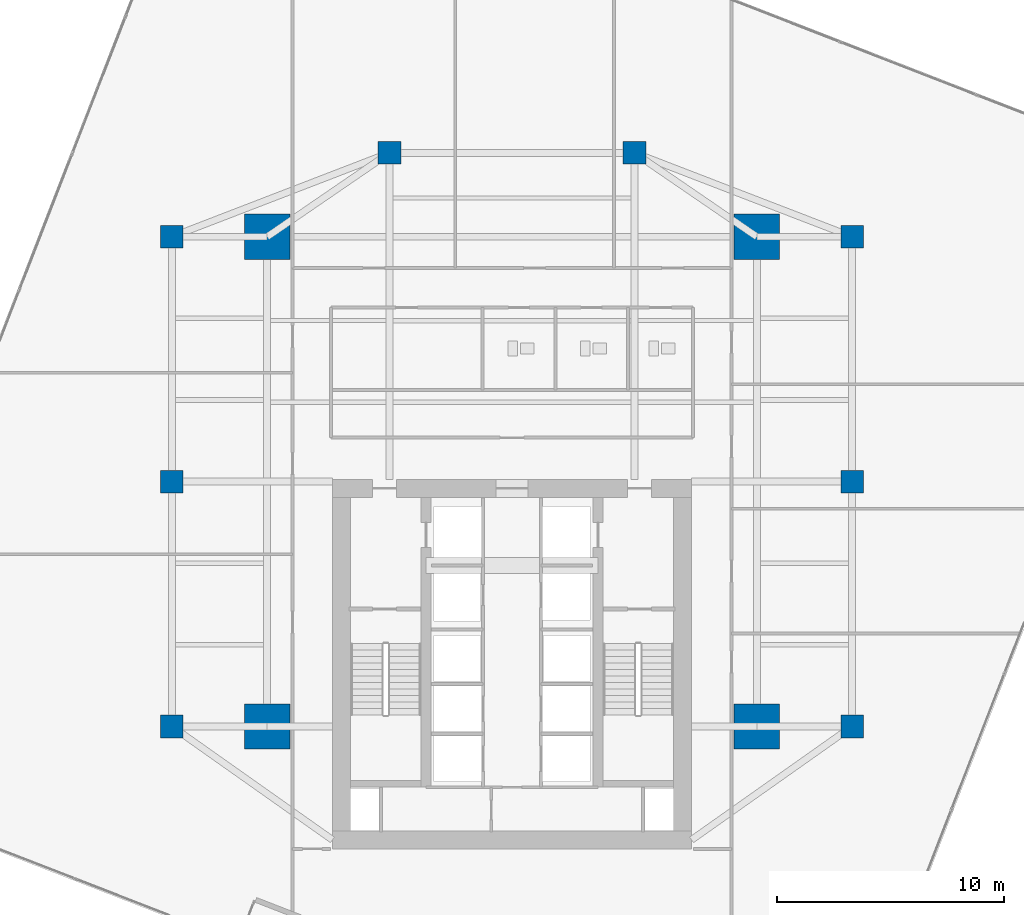
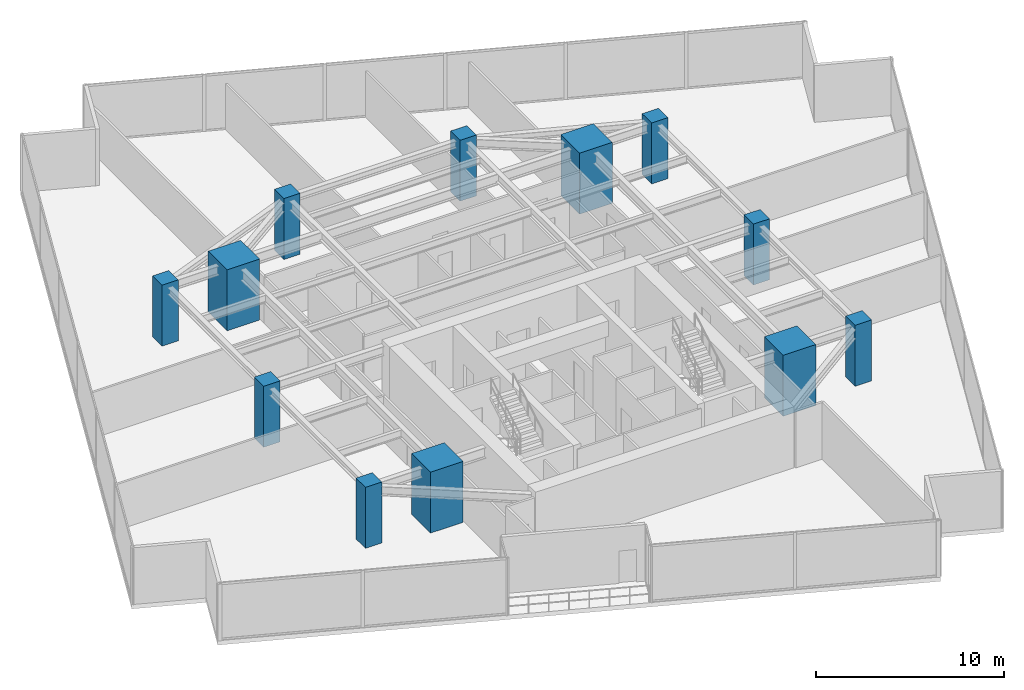
# One storey, part 1 of 26: 12 columns.
"""IFC4 building model written with IfcOpenShell, lengths in metres."""

from ifc_helpers import new_model, si_unit, direction, frame, origin, origin_2d, place, context, subcontext, project, spatial, rectangle, extrude, source, transform, mapped, material, material_profile, profile_set, type_object, type_shapes, element, save


model = new_model("IFC4")

# Units and contexts
model_context = context("Model", 3, precision=1e-05, world=origin(), true_north=direction((0.0, 1.0)))
body_context = subcontext(model_context, "Body", "Model", "MODEL_VIEW")
ifc_project = project(units=[si_unit("LENGTHUNIT", "METRE"), si_unit("AREAUNIT", "SQUARE_METRE"), si_unit("VOLUMEUNIT", "CUBIC_METRE"), si_unit("PLANEANGLEUNIT", "RADIAN"), si_unit("MASSUNIT", "GRAM", prefix="KILO")], contexts=[model_context])

# Site, building, storey
site_placement = place(None, origin())
site = spatial("IfcSite", under=ifc_project, at=site_placement, CompositionType="ELEMENT")
building_placement = place(site_placement, origin())
building = spatial("IfcBuilding", under=site, at=building_placement, Name="Krantzveldt Concourse Tower", CompositionType="ELEMENT")
storey_placement = place(building_placement, frame((0.0, 0.0, 129.550048828125)))
storey = spatial("IfcBuildingStorey", under=building, at=storey_placement, Name="L31", CompositionType="ELEMENT", Elevation=129.550048828125)

# Columns
ifc_material = material(Name="Concrete C60/75", Category="concrete")
ifc_material_profile_1 = material_profile(ifc_material, rectangle(XDim=2.0, YDim=2.0, at=origin_2d()), Name="Concrete C60/75", Category="concrete")
ifc_profile_set_1 = profile_set([ifc_material_profile_1], Name="Concrete C60/75 - RC 2000x2000")
column_type_1 = type_object("IfcColumnType", Name="COL-MC-2000", PredefinedType="USERDEFINED", material=ifc_profile_set_1)
shared_shape_1 = source(origin(), body_context, "Body", "SweptSolid", [
    extrude(rectangle(XDim=2.0, YDim=2.0, at=origin_2d()), origin(), (0.0, 0.0, 1.0), 3.949951171875),
])
type_shapes(column_type_1, [shared_shape_1])
for number, where, z_axis, x_axis, name in (
    (1, (25.199951171875, 15.89990234375, 0.0), (0.0, 0.0, 1.0), (1.0, 0.0, 0.0), "MC-SW-L31"),
    (2, (46.800048828125, 15.89990234375, 0.0), (0.0, 0.0, 1.0), (1.0, 0.0, 0.0), "MC-SE-L31"),
    (3, (46.800048828125, 37.5, 0.0), (0.0, 0.0, 1.0), (1.0, 0.0, 0.0), "MC-NE-L31"),
    (4, (25.199951171875, 37.5, 0.0), (0.0, 0.0, 1.0), (1.0, 0.0, 0.0), "MC-NW-L31"),
):
    element("IfcColumn", number, at=place(storey_placement, frame(where, z_axis=z_axis, x_axis=x_axis)), inside=storey, type_object=column_type_1, Name=name, ObjectType="MEGA COLUMN", PredefinedType="USERDEFINED", context=body_context, shape_type="MappedRepresentation", body=[
        mapped(shared_shape_1, transform((0.0, 0.0, 0.0), x_axis=(1.0, 0.0, 0.0), y_axis=(0.0, 1.0, 0.0), z_axis=(0.0, 0.0, 1.0), scale=1.0)),
    ])
ifc_material_profile_2 = material_profile(ifc_material, rectangle(XDim=1.0, YDim=1.0, at=origin_2d()), Name="Concrete C60/75", Category="concrete")
ifc_profile_set_2 = profile_set([ifc_material_profile_2], Name="Concrete C60/75 - RC 1000x1000")
column_type_2 = type_object("IfcColumnType", Name="COL-C-Z2", PredefinedType="COLUMN", material=ifc_profile_set_2)
shared_shape_2 = source(origin(), body_context, "Body", "SweptSolid", [
    extrude(rectangle(XDim=1.0, YDim=1.0, at=origin_2d()), origin(), (0.0, 0.0, 1.0), 3.949951171875),
])
type_shapes(column_type_2, [shared_shape_2])
for number, where, z_axis, x_axis, name in (
    (5, (21.0, 15.89990234375, 0.0), (0.0, 0.0, 1.0), (1.0, 0.0, 0.0), "PC-R01-L31"),
    (6, (21.0, 26.699951171875, 0.0), (0.0, 0.0, 1.0), (1.0, 0.0, 0.0), "PC-R02-L31"),
    (7, (21.0, 37.5, 0.0), (0.0, 0.0, 1.0), (1.0, 0.0, 0.0), "PC-R03-L31"),
    (8, (30.60009765625, 41.199951171875, 0.0), (0.0, 0.0, 1.0), (1.0, 0.0, 0.0), "PC-R04-L31"),
    (9, (41.39990234375, 41.199951171875, 0.0), (0.0, 0.0, 1.0), (1.0, 0.0, 0.0), "PC-R05-L31"),
    (10, (51.0, 37.5, 0.0), (0.0, 0.0, 1.0), (1.0, 0.0, 0.0), "PC-R06-L31"),
    (11, (51.0, 26.699951171875, 0.0), (0.0, 0.0, 1.0), (1.0, 0.0, 0.0), "PC-R07-L31"),
    (12, (51.0, 15.89990234375, 0.0), (0.0, 0.0, 1.0), (1.0, 0.0, 0.0), "PC-R08-L31"),
):
    element("IfcColumn", number, at=place(storey_placement, frame(where, z_axis=z_axis, x_axis=x_axis)), inside=storey, type_object=column_type_2, Name=name, PredefinedType="COLUMN", context=body_context, shape_type="MappedRepresentation", body=[
        mapped(shared_shape_2, transform((0.0, 0.0, 0.0), x_axis=(1.0, 0.0, 0.0), y_axis=(0.0, 1.0, 0.0), z_axis=(0.0, 0.0, 1.0), scale=1.0)),
    ])

save(model, "model.ifc")
